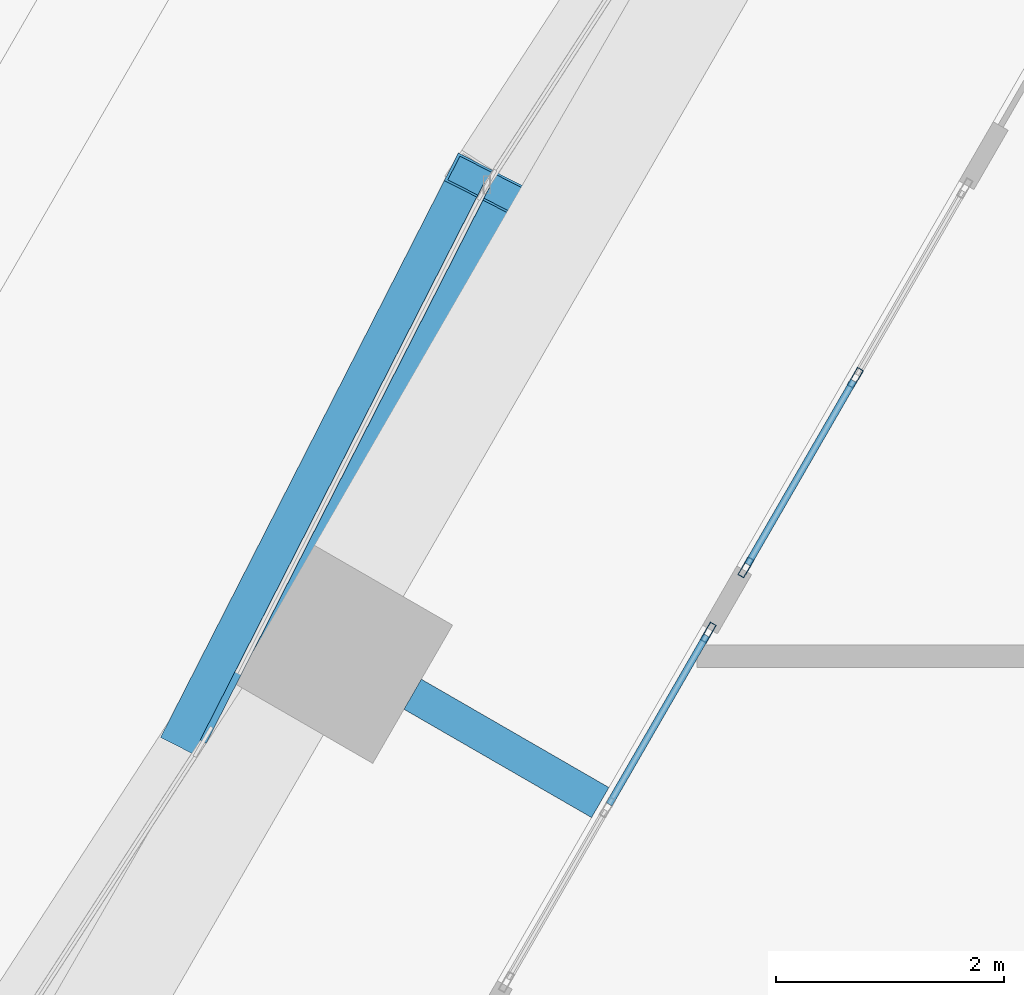
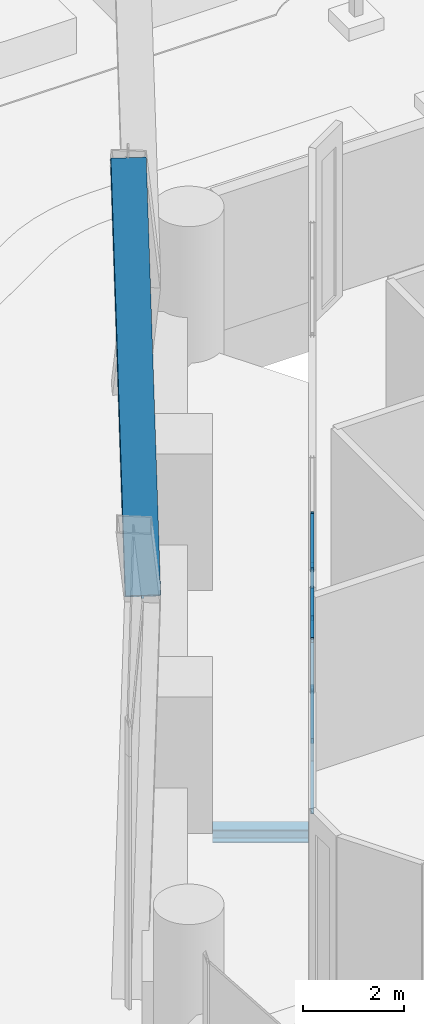
# One storey, part 24 of 71: 11 members, 1 beam, 3 elements without a shape of their own.
"""IFC4 building model written with IfcOpenShell, lengths in metres."""

from ifc_helpers import new_model, si_unit, direction, frame, origin, origin_2d, place, context, subcontext, project, spatial, hollow_rectangle, i_section, extrude, material, material_profile, profile_set, type_object, element, aggregate, save


model = new_model("IFC4")

# Units and contexts
model_context = context("Model", 3, precision=1e-05, world=origin(), true_north=direction((0.0, 1.0)))
body_context = subcontext(model_context, "Body", "Model", "MODEL_VIEW")
ifc_project = project(units=[si_unit("LENGTHUNIT", "METRE"), si_unit("AREAUNIT", "SQUARE_METRE"), si_unit("VOLUMEUNIT", "CUBIC_METRE"), si_unit("PLANEANGLEUNIT", "RADIAN"), si_unit("MASSUNIT", "GRAM", prefix="KILO")], contexts=[model_context])

# Site, building, storey
site_placement = place(None, origin())
site = spatial("IfcSite", under=ifc_project, at=site_placement, CompositionType="ELEMENT")
building_placement = place(site_placement, origin())
building = spatial("IfcBuilding", under=site, at=building_placement, Name="Ostrander Bayou Hotel Tower", CompositionType="ELEMENT")
storey_placement = place(building_placement, frame((0.0, 0.0, 10.0)))
storey = spatial("IfcBuildingStorey", under=building, at=storey_placement, Name="L02", CompositionType="ELEMENT", Elevation=10.0)

# Curtain wall, member
ifc_material_1 = material(Name="Aluminium and clear glass", Category="aluminium")
curtain_wall_type_1 = type_object("IfcCurtainWallType", Name="CW-LAT lattice glazing", PredefinedType="NOTDEFINED", material=ifc_material_1)
curtain_wall_1_placement = place(storey_placement, origin())
curtain_wall_1 = element("IfcCurtainWall", 1, at=curtain_wall_1_placement, inside=storey, type_object=curtain_wall_type_1, Name="CW-LAT L02 NW 2", PredefinedType="NOTDEFINED")
ifc_material_2 = material(Name="Aluminium", Category="aluminium")
ifc_material_profile_1 = material_profile(ifc_material_2, hollow_rectangle(XDim=0.06005859375, YDim=0.1201171875, WallThickness=0.00390625, at=origin_2d()))
ifc_profile_set_1 = profile_set([ifc_material_profile_1], Name="Aluminium")
member_type_1 = type_object("IfcMemberType", Name="CW-LA transom 60 x 120 mm", PredefinedType="USERDEFINED", material=ifc_profile_set_1)
member_1_placement = place(storey_placement, frame((-19.11328125, 11.034912109375, 6.14990234375), z_axis=(-0.453987151201, -0.891008230346, 0.0), x_axis=(0.891008230346, -0.453987151201, 0.0)))
member_1 = element("IfcMember", 2, at=member_1_placement, type_object=member_type_1, Name="CW-LAT transom 7", ObjectType="TRANSOM", PredefinedType="USERDEFINED", context=body_context, shape_type="SweptSolid", body=[
    extrude(hollow_rectangle(XDim=0.06005859375, YDim=0.1201171875, WallThickness=0.00390625, at=origin_2d()), origin(), (0.0, 0.0, 1.0), 5.482666015625),
])
aggregate(curtain_wall_1, [member_1])

# Curtain wall, members
ifc_material_3 = material(Name="Aluminium and clear glass", Category="aluminium")
curtain_wall_type_2 = type_object("IfcCurtainWallType", Name="CW-SKY amenity glass wall", PredefinedType="NOTDEFINED", material=ifc_material_3)
curtain_wall_2_placement = place(storey_placement, origin())
curtain_wall_2 = element("IfcCurtainWall", 3, at=curtain_wall_2_placement, inside=storey, type_object=curtain_wall_type_2, Name="CW-SKY L02 NW 3", PredefinedType="NOTDEFINED")
ifc_material_4 = material(Name="Aluminium", Category="aluminium")
ifc_material_profile_2 = material_profile(ifc_material_4, hollow_rectangle(XDim=0.06005859375, YDim=0.179931640625, WallThickness=0.00390625, at=origin_2d()))
ifc_profile_set_2 = profile_set([ifc_material_profile_2], Name="Aluminium")
member_type_2 = type_object("IfcMemberType", Name="CW-SK mullion 60 x 180 mm", PredefinedType="MULLION", material=ifc_profile_set_2)
member_2_placement = place(storey_placement, frame((-15.881591796875, 9.342529296875, 0.0), z_axis=(0.0, 0.0, 1.0), x_axis=(0.866025463091, -0.499999897278, 0.0)))
member_2 = element("IfcMember", 4, at=member_2_placement, type_object=member_type_2, Name="CW-SKY mullion 2", PredefinedType="MULLION", context=body_context, shape_type="SweptSolid", body=[
    extrude(hollow_rectangle(XDim=0.06005859375, YDim=0.179931640625, WallThickness=0.00390625, at=origin_2d()), origin(), (0.0, 0.0, 1.0), 4.199951171875),
])
member_3_placement = place(storey_placement, frame((-16.841552734375, 7.6796875, 0.0), z_axis=(0.0, 0.0, 1.0), x_axis=(0.866025463091, -0.499999897278, 0.0)))
member_3 = element("IfcMember", 5, at=member_3_placement, type_object=member_type_2, Name="CW-SKY mullion 3", PredefinedType="MULLION", context=body_context, shape_type="SweptSolid", body=[
    extrude(hollow_rectangle(XDim=0.06005859375, YDim=0.179931640625, WallThickness=0.00390625, at=origin_2d()), origin(), (0.0, 0.0, 1.0), 4.199951171875),
])

# Curtain wall, member
curtain_wall_3_placement = place(storey_placement, origin())
curtain_wall_3 = element("IfcCurtainWall", 6, at=curtain_wall_3_placement, inside=storey, type_object=curtain_wall_type_2, Name="CW-SKY L02 NW 4", PredefinedType="NOTDEFINED")
member_4_placement = place(storey_placement, frame((-17.17138671875, 7.10791015625, 0.0), z_axis=(0.0, 0.0, 1.0), x_axis=(0.866025997283, -0.499998972029, 0.0)))
member_4 = element("IfcMember", 7, at=member_4_placement, type_object=member_type_2, Name="CW-SKY mullion 1", PredefinedType="MULLION", context=body_context, shape_type="SweptSolid", body=[
    extrude(hollow_rectangle(XDim=0.06005859375, YDim=0.179931640625, WallThickness=0.00390625, at=origin_2d()), origin(), (0.0, 0.0, 1.0), 4.199951171875),
])

# Member
ifc_material_5 = material(Name="Aluminium", Category="aluminium")
ifc_material_profile_3 = material_profile(ifc_material_5, hollow_rectangle(XDim=0.06005859375, YDim=0.1201171875, WallThickness=0.00390625, at=origin_2d()))
ifc_profile_set_3 = profile_set([ifc_material_profile_3], Name="Aluminium")
member_type_3 = type_object("IfcMemberType", Name="CW-SK transom 60 x 120 mm", PredefinedType="USERDEFINED", material=ifc_profile_set_3)
member_5_placement = place(storey_placement, frame((-15.896484375, 9.31640625, 0.030029296875), z_axis=(-0.499964847546, -0.866045698112, 0.0), x_axis=(0.866045698112, -0.499964847546, 0.0)))
member_5 = element("IfcMember", 8, at=member_5_placement, type_object=member_type_3, Name="CW-SKY transom 2.1", ObjectType="TRANSOM", PredefinedType="USERDEFINED", context=body_context, shape_type="SweptSolid", body=[
    extrude(hollow_rectangle(XDim=0.06005859375, YDim=0.1201171875, WallThickness=0.00390625, at=origin_2d()), origin(), (0.0, 0.0, 1.0), 1.860107421875),
])

member_6_placement = place(storey_placement, frame((-15.896484375, 9.31640625, 3.0), z_axis=(-0.499964847546, -0.866045698112, 0.0), x_axis=(0.866045698112, -0.499964847546, 0.0)))
member_6 = element("IfcMember", 9, at=member_6_placement, type_object=member_type_3, Name="CW-SKY transom 2.2", ObjectType="TRANSOM", PredefinedType="USERDEFINED", context=body_context, shape_type="SweptSolid", body=[
    extrude(hollow_rectangle(XDim=0.06005859375, YDim=0.1201171875, WallThickness=0.00390625, at=origin_2d()), origin(), (0.0, 0.0, 1.0), 1.860107421875),
])

member_7_placement = place(storey_placement, frame((-15.896484375, 9.31640625, 4.169921875), z_axis=(-0.499964847546, -0.866045698112, 0.0), x_axis=(0.866045698112, -0.499964847546, 0.0)))
member_7 = element("IfcMember", 10, at=member_7_placement, type_object=member_type_3, Name="CW-SKY transom 2.3", ObjectType="TRANSOM", PredefinedType="USERDEFINED", context=body_context, shape_type="SweptSolid", body=[
    extrude(hollow_rectangle(XDim=0.06005859375, YDim=0.1201171875, WallThickness=0.00390625, at=origin_2d()), origin(), (0.0, 0.0, 1.0), 1.860107421875),
])

aggregate(curtain_wall_2, [member_2, member_3, member_5, member_6, member_7])

member_8_placement = place(storey_placement, frame((-17.1865234375, 7.08203125, 0.030029296875), z_axis=(-0.499977863513, -0.866038183914, 0.0), x_axis=(0.866038183914, -0.499977863513, 0.0)))
member_8 = element("IfcMember", 11, at=member_8_placement, type_object=member_type_3, Name="CW-SKY transom 1.1", ObjectType="TRANSOM", PredefinedType="USERDEFINED", context=body_context, shape_type="SweptSolid", body=[
    extrude(hollow_rectangle(XDim=0.06005859375, YDim=0.1201171875, WallThickness=0.00390625, at=origin_2d()), origin(), (0.0, 0.0, 1.0), 1.7099609375),
])

member_9_placement = place(storey_placement, frame((-17.1865234375, 7.08203125, 3.0), z_axis=(-0.499977863513, -0.866038183914, 0.0), x_axis=(0.866038183914, -0.499977863513, 0.0)))
member_9 = element("IfcMember", 12, at=member_9_placement, type_object=member_type_3, Name="CW-SKY transom 1.2", ObjectType="TRANSOM", PredefinedType="USERDEFINED", context=body_context, shape_type="SweptSolid", body=[
    extrude(hollow_rectangle(XDim=0.06005859375, YDim=0.1201171875, WallThickness=0.00390625, at=origin_2d()), origin(), (0.0, 0.0, 1.0), 1.7099609375),
])

member_10_placement = place(storey_placement, frame((-17.1865234375, 7.08203125, 4.169921875), z_axis=(-0.499977863513, -0.866038183914, 0.0), x_axis=(0.866038183914, -0.499977863513, 0.0)))
member_10 = element("IfcMember", 13, at=member_10_placement, type_object=member_type_3, Name="CW-SKY transom 1.3", ObjectType="TRANSOM", PredefinedType="USERDEFINED", context=body_context, shape_type="SweptSolid", body=[
    extrude(hollow_rectangle(XDim=0.06005859375, YDim=0.1201171875, WallThickness=0.00390625, at=origin_2d()), origin(), (0.0, 0.0, 1.0), 1.7099609375),
])

aggregate(curtain_wall_3, [member_4, member_8, member_9, member_10])

# Beam
ifc_material_6 = material(Name="Steel ASTM A992", Category="steel")
ifc_material_profile_4 = material_profile(ifc_material_6, i_section(OverallWidth=0.3046875, OverallDepth=0.307861328125, WebThickness=0.010009765625, FlangeThickness=0.015380859375, at=origin_2d()))
ifc_profile_set_4 = profile_set([ifc_material_profile_4], Name="Steel ASTM A992")
beam_type = type_object("IfcBeamType", Name="LB1 loggia bracket W12x65", PredefinedType="BEAM", material=ifc_profile_set_4)
beam_placement = place(storey_placement, frame((-19.7646484375, 6.566650390625, -0.453857421875), z_axis=(0.866044365799, -0.499967155389, 0.0), x_axis=(0.499967155389, 0.866044365799, 0.0)))
element("IfcBeam", 14, at=beam_placement, inside=storey, type_object=beam_type, Name="LB1 L02 NW2", PredefinedType="BEAM", context=body_context, shape_type="SweptSolid", body=[
    extrude(i_section(OverallWidth=0.3046875, OverallDepth=0.307861328125, WebThickness=0.010009765625, FlangeThickness=0.015380859375, at=origin_2d()), origin(), (0.0, 0.0, 1.0), 1.900146484375),
])

# Member
ifc_material_7 = material(Name="Steel ASTM A572 Gr 50", Category="steel")
ifc_material_profile_5 = material_profile(ifc_material_7, hollow_rectangle(XDim=0.699951171875, YDim=0.35009765625, WallThickness=0.02490234375, at=origin_2d()))
ifc_profile_set_5 = profile_set([ifc_material_profile_5], Name="Steel ASTM A572 Gr 50")
member_type_4 = type_object("IfcMemberType", Name="LT1 lattice member box 700 x 350 x 25 mm", PredefinedType="BRACE", material=ifc_profile_set_5)
member_11_placement = place(storey_placement, frame((-21.602294921875, 6.14990234375, 6.14990234375), z_axis=(0.28622400012, 0.561751448592, 0.776215905377), x_axis=(-0.891008230346, 0.453987151201, 0.0)))
element("IfcMember", 15, at=member_11_placement, inside=storey, type_object=member_type_4, Name="LT1 L02 NW 4", PredefinedType="BRACE", context=body_context, shape_type="SweptSolid", body=[
    extrude(hollow_rectangle(XDim=0.699951171875, YDim=0.35009765625, WallThickness=0.02490234375, at=origin_2d()), origin(), (0.0, 0.0, 1.0), 8.696044921875),
])

save(model, "model.ifc")
